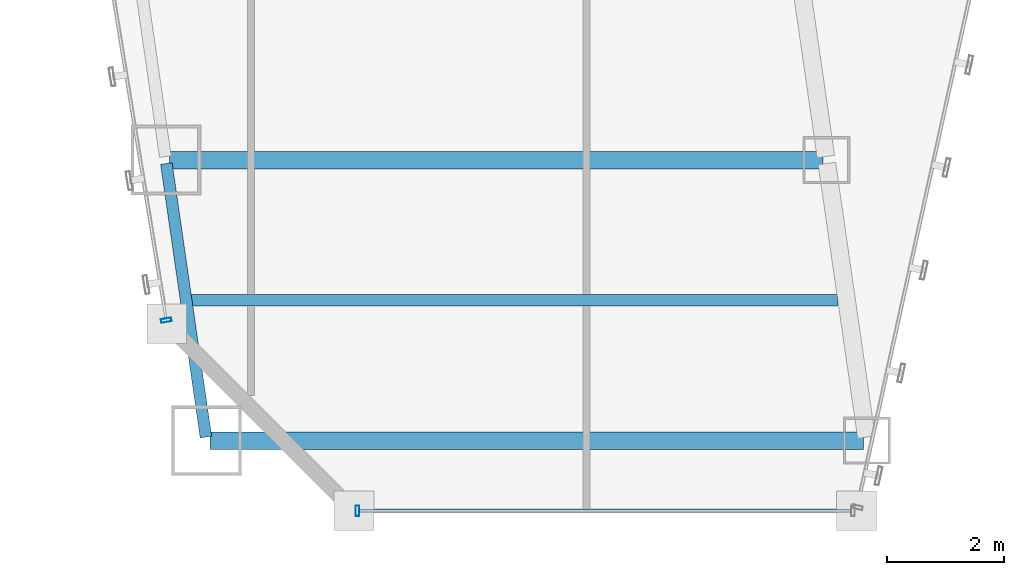
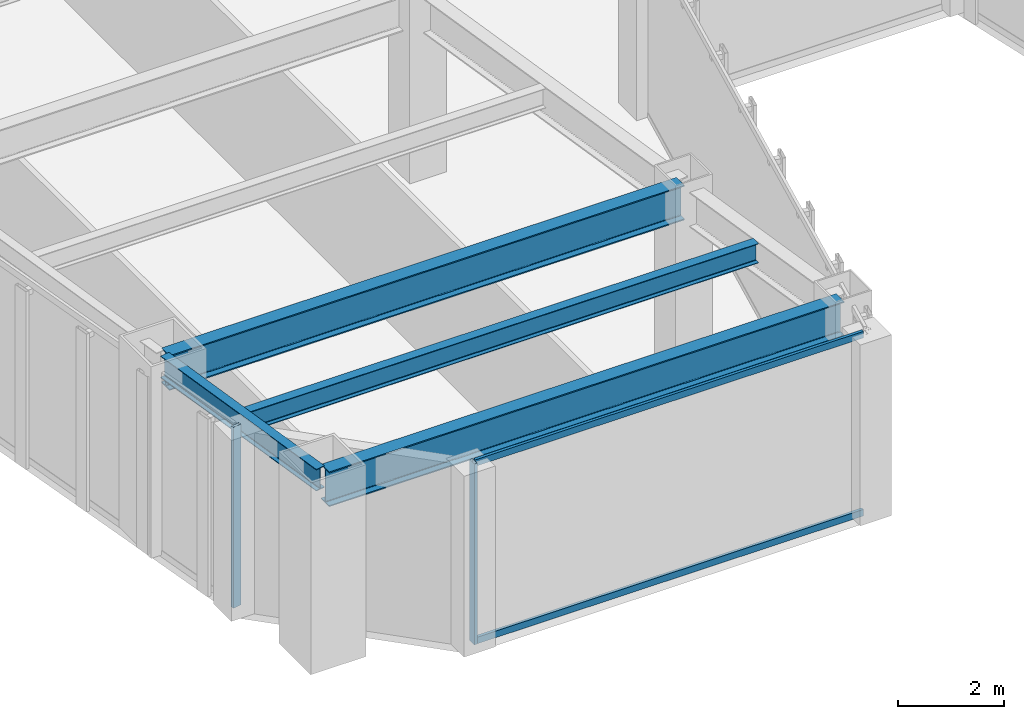
# One storey, part 4 of 47: 4 beams, 4 members, 2 elements without a shape of their own.
"""IFC4 building model written with IfcOpenShell, lengths in metres."""

import ifcopenshell
import ifcopenshell.guid

model = None  # the IFC model being written
_history = None  # IfcOwnerHistory: only IFC2X3 demands one
_inside = {}  # id of a spatial element -> (the spatial element, [elements in it])
_under = {}  # id of a project, library or spatial element -> (it, [spatial elements below it])
_declared = {}  # id of a project -> (the project, [libraries it declares])
_typed = {}  # id of a type object -> (the type object, [elements of that type])
_made_of = {}  # id of a material, layer set ... -> (it, [elements and type objects made of it])


def new_model(schema):
    """Start an empty IFC model of exactly this schema.

    Asked for "IFC4X3", IfcOpenShell would pick the latest addendum, in which some entities
    have other attributes; the version numbers below select the first issue.
    IFC2X3 requires an IfcOwnerHistory on every rooted entity: one is made here for all.
    """
    global model, _history
    if schema == "IFC4X3":
        model = ifcopenshell.file(schema_version=(4, 3, 0, 0))
    else:
        model = ifcopenshell.file(schema=schema)
    _inside.clear()
    _under.clear()
    _declared.clear()
    _typed.clear()
    _made_of.clear()
    _history = None
    if model.schema == "IFC2X3":
        org = make("IfcOrganization", Name="unknown")
        user = make(
            "IfcPersonAndOrganization",
            ThePerson=make("IfcPerson", FamilyName="unknown"),
            TheOrganization=org,
        )
        app = make(
            "IfcApplication",
            ApplicationDeveloper=org,
            Version="unknown",
            ApplicationFullName="unknown",
            ApplicationIdentifier="unknown",
        )
        _history = make(
            "IfcOwnerHistory",
            OwningUser=user,
            OwningApplication=app,
            ChangeAction="ADDED",
            CreationDate=0,
        )
    return model


def make(cls, **values):
    """One entity of the class cls with the attributes given. An attribute that is None is left unset."""
    return model.create_entity(
        cls, **{name: value for name, value in values.items() if value is not None}
    )


def rooted(cls, **values):
    """An entity with a GlobalId (a new one), such as an element, a storey or a relation."""
    return make(cls, GlobalId=ifcopenshell.guid.new(), OwnerHistory=_history, **values)


def si_unit(unit_type, name, prefix=None):
    """IfcSIUnit, for example si_unit("LENGTHUNIT", "METRE", prefix="MILLI")."""
    return make("IfcSIUnit", UnitType=unit_type, Prefix=prefix, Name=name)


def assignment(units):
    """IfcUnitAssignment: the units of a project."""
    return None if units is None else make("IfcUnitAssignment", Units=units)


def point(xyz):
    """IfcCartesianPoint."""
    return None if xyz is None else make("IfcCartesianPoint", Coordinates=xyz)


def direction(xyz):
    """IfcDirection."""
    return None if xyz is None else make("IfcDirection", DirectionRatios=xyz)


def frame(location, z_axis=None, x_axis=None):
    """IfcAxis2Placement3D, a coordinate frame: its origin and axes. An axis left out is left unset."""
    return make(
        "IfcAxis2Placement3D",
        Location=point(location),
        Axis=direction(z_axis),
        RefDirection=direction(x_axis),
    )


def frame_2d(location, x_axis=None):
    """IfcAxis2Placement2D, a coordinate frame in the plane: its origin and x axis."""
    return make(
        "IfcAxis2Placement2D", Location=point(location), RefDirection=direction(x_axis)
    )


def origin():
    """The frame at (0, 0, 0) with its axes left unset."""
    return frame((0.0, 0.0, 0.0))


def origin_2d():
    """The frame at (0, 0) in the plane with its x axis left unset."""
    return frame_2d((0.0, 0.0))


def place(relative_to, where):
    """IfcLocalPlacement: puts the frame where relative to a parent placement (None: the world)."""
    return make(
        "IfcLocalPlacement", PlacementRelTo=relative_to, RelativePlacement=where
    )


def context(
    kind, dimensions, precision=None, world=None, true_north=None, identifier=None
):
    """IfcGeometricRepresentationContext, for example the 3D "Model" context."""
    return make(
        "IfcGeometricRepresentationContext",
        ContextIdentifier=identifier,
        ContextType=kind,
        CoordinateSpaceDimension=dimensions,
        Precision=precision,
        WorldCoordinateSystem=world,
        TrueNorth=true_north,
    )


def subcontext(parent, identifier, kind, view, scale=None):
    """IfcGeometricRepresentationSubContext, for example "Body" below "Model"."""
    return make(
        "IfcGeometricRepresentationSubContext",
        ContextIdentifier=identifier,
        ContextType=kind,
        ParentContext=parent,
        TargetScale=scale,
        TargetView=view,
    )


def project(units=None, contexts=None):
    """IfcProject with its units and contexts."""
    return rooted(
        "IfcProject",
        Name="project",
        RepresentationContexts=contexts,
        UnitsInContext=assignment(units),
    )


def spatial(cls, under=None, at=None, **own):
    """A site, building, storey or space (cls), placed at a placement, below another one or the project."""
    s = rooted(cls, ObjectPlacement=at, **own)
    if under is not None:
        _under.setdefault(under.id(), (under, []))[1].append(s)
    return s


def profile(cls, at=None, kind="AREA", **sizes):
    """A parametric profile (cls). Its sizes go by their IFC names, for example OverallWidth=200.0."""
    return make(cls, ProfileType=kind, Position=at, **sizes)


def hollow_rectangle(**sizes):
    """IfcRectangleHollowProfileDef."""
    return profile("IfcRectangleHollowProfileDef", **sizes)


def i_section(**sizes):
    """IfcIShapeProfileDef."""
    return profile("IfcIShapeProfileDef", **sizes)


def extrude(swept, where, along, depth):
    """IfcExtrudedAreaSolid: the profile swept, set in the frame where, extruded along a direction by depth."""
    return make(
        "IfcExtrudedAreaSolid",
        SweptArea=swept,
        Position=where,
        ExtrudedDirection=direction(along),
        Depth=depth,
    )


def shape(context_of_items, identifier, shape_type, items):
    """IfcShapeRepresentation: the items that make up one representation, for example the "Body"."""
    return make(
        "IfcShapeRepresentation",
        ContextOfItems=context_of_items,
        RepresentationIdentifier=identifier,
        RepresentationType=shape_type,
        Items=items,
    )


def material(Name=None, Category=None):
    """IfcMaterial."""
    return make("IfcMaterial", Name=Name, Category=Category)


def material_profile(
    of_material, cross_section, Name=None, Category=None, Priority=None
):
    """IfcMaterialProfile: a cross section and its material."""
    return make(
        "IfcMaterialProfile",
        Name=Name,
        Material=of_material,
        Profile=cross_section,
        Priority=Priority,
        Category=Category,
    )


def profile_set(profiles, Name=None, composite=None):
    """IfcMaterialProfileSet."""
    return make(
        "IfcMaterialProfileSet",
        Name=Name,
        MaterialProfiles=profiles,
        CompositeProfile=composite,
    )


def made_of(thing, what):
    """Note that an element or type object is made of a material, layer set ...; save() writes the relation."""
    if what is not None:
        _made_of.setdefault(what.id(), (what, []))[1].append(thing)
    return thing


def type_object(cls, material=None, **own):
    """A type object (cls), such as IfcWallType, which elements share."""
    return made_of(rooted(cls, **own), material)


def element(
    cls,
    number,
    at=None,
    inside=None,
    cuts=None,
    type_object=None,
    material=None,
    context=None,
    identifier="Body",
    shape_type=None,
    held_by="IfcProductDefinitionShape",
    body=None,
    shapes=None,
    **own,
):
    """One element of the class cls, such as IfcWall. Its Tag is "e" and its number.

    at: its placement. inside: the storey or other place that contains it. cuts: it is an
    opening in that element (IfcRelVoidsElement). A single representation is given by context,
    identifier, shape_type and body (its items); several are given by shapes. held_by: the class
    of the entity that holds the representations. save() writes the other relations.
    """
    e = rooted(cls, Tag="e%d" % number, ObjectPlacement=at, **own)
    if body is not None:
        shapes = [shape(context, identifier, shape_type, body)]
    if shapes is not None:
        e.Representation = make(held_by, Representations=shapes)
    if inside is not None:
        _inside.setdefault(inside.id(), (inside, []))[1].append(e)
    if cuts is not None:
        rooted(
            "IfcRelVoidsElement", RelatingBuildingElement=cuts, RelatedOpeningElement=e
        )
    if type_object is not None:
        _typed.setdefault(type_object.id(), (type_object, []))[1].append(e)
    return made_of(e, material)


def aggregate(whole, parts):
    """IfcRelAggregates: a whole, such as a stair, and the parts it consists of."""
    return rooted("IfcRelAggregates", RelatingObject=whole, RelatedObjects=parts)


def save(model, path):
    """Write the relations noted so far, then the file.

    IfcRelAggregates (storeys below a building ...), IfcRelContainedInSpatialStructure (elements
    in a storey), IfcRelDefinesByType, IfcRelAssociatesMaterial and IfcRelDeclares: one each for
    every whole, place, type object, material and project.
    """
    for whole, parts in _under.values():
        aggregate(whole, parts)
    for where, things in _inside.values():
        rooted(
            "IfcRelContainedInSpatialStructure",
            RelatedElements=things,
            RelatingStructure=where,
        )
    for kind, things in _typed.values():
        rooted("IfcRelDefinesByType", RelatedObjects=things, RelatingType=kind)
    for what, things in _made_of.values():
        rooted("IfcRelAssociatesMaterial", RelatedObjects=things, RelatingMaterial=what)
    for by, libraries in _declared.values():
        rooted("IfcRelDeclares", RelatingContext=by, RelatedDefinitions=libraries)
    model.write(path)


model = new_model("IFC4")

# Units and contexts
model_context = context("Model", 3, precision=1e-05, world=origin(), true_north=direction((0.0, 1.0)))
body_context = subcontext(model_context, "Body", "Model", "MODEL_VIEW")
ifc_project = project(units=[si_unit("LENGTHUNIT", "METRE"), si_unit("AREAUNIT", "SQUARE_METRE"), si_unit("VOLUMEUNIT", "CUBIC_METRE"), si_unit("PLANEANGLEUNIT", "RADIAN"), si_unit("MASSUNIT", "GRAM", prefix="KILO")], contexts=[model_context])

# Site, building, storey
site_placement = place(None, origin())
site = spatial("IfcSite", under=ifc_project, at=site_placement, CompositionType="ELEMENT")
building_placement = place(site_placement, origin())
building = spatial("IfcBuilding", under=site, at=building_placement, Name="Saevonmaru Cultural Tower", CompositionType="ELEMENT")
storey_placement = place(building_placement, frame((0.0, 0.0, 69.199951171875)))
storey = spatial("IfcBuildingStorey", under=building, at=storey_placement, Name="L14", CompositionType="ELEMENT", Elevation=69.199951171875)

# Beams
ifc_material_1 = material(Name="Steel SM420", Category="steel")
ifc_material_profile_1 = material_profile(ifc_material_1, i_section(OverallWidth=0.300048828125, OverallDepth=0.800048828125, WebThickness=0.013916015625, FlangeThickness=0.02587890625, FilletRadius=0.028076171875, at=origin_2d()), Name="H-800x300x14x26")
ifc_profile_set_1 = profile_set([ifc_material_profile_1], Name="Steel SM420")
beam_type_1 = type_object("IfcBeamType", Name="BM-G-H800", PredefinedType="BEAM", material=ifc_profile_set_1)
for number, where, z_axis, x_axis, name in (
    (1, (12.537109375, 3.199951171875, 3.75), (1.0, 0.0, 0.0), (0.0, 1.0, 0.0), "L14 West Wing Transverse Girder 1"),
    (2, (11.843017578125, 8.0, 3.75), (1.0, 0.0, 0.0), (0.0, 1.0, 0.0), "L14 West Wing Transverse Girder 2"),
):
    element("IfcBeam", number, at=place(storey_placement, frame(where, z_axis=z_axis, x_axis=x_axis)), inside=storey, type_object=beam_type_1, Name=name, PredefinedType="BEAM", context=body_context, shape_type="SweptSolid", body=[
        extrude(i_section(OverallWidth=0.300048828125, OverallDepth=0.800048828125, WebThickness=0.013916015625, FlangeThickness=0.02587890625, FilletRadius=0.028076171875, at=origin_2d()), origin(), (0.0, 0.0, 1.0), 11.179931640625),
    ])
ifc_material_2 = material(Name="Steel SM355", Category="steel")
ifc_material_profile_2 = material_profile(ifc_material_2, i_section(OverallWidth=0.199951171875, OverallDepth=0.449951171875, WebThickness=0.009033203125, FlangeThickness=0.013916015625, FilletRadius=0.01806640625, at=origin_2d()), Name="H-450x200x9x14")
ifc_profile_set_2 = profile_set([ifc_material_profile_2], Name="Steel SM355")
beam_type_2 = type_object("IfcBeamType", Name="BM-J-H450", PredefinedType="JOIST", material=ifc_profile_set_2)
beam_1_placement = place(storey_placement, frame((12.18994140625, 5.60009765625, 3.925048828125), z_axis=(1.0, 0.0, 0.0), x_axis=(0.0, 1.0, 0.0)))
element("IfcBeam", 3, at=beam_1_placement, inside=storey, type_object=beam_type_2, Name="L14 West Wing Floor Joist 1", PredefinedType="JOIST", context=body_context, shape_type="SweptSolid", body=[
    extrude(i_section(OverallWidth=0.199951171875, OverallDepth=0.449951171875, WebThickness=0.009033203125, FlangeThickness=0.013916015625, FilletRadius=0.01806640625, at=origin_2d()), origin(), (0.0, 0.0, 1.0), 11.08203125),
])
ifc_material_profile_3 = material_profile(ifc_material_2, i_section(OverallWidth=0.199951171875, OverallDepth=0.5, WebThickness=0.010009765625, FlangeThickness=0.01611328125, FilletRadius=0.02001953125, at=origin_2d()), Name="H-500x200x10x16")
ifc_profile_set_3 = profile_set([ifc_material_profile_3], Name="Steel SM355")
beam_type_3 = type_object("IfcBeamType", Name="BM-SP-H500", PredefinedType="SPANDREL", material=ifc_profile_set_3)
beam_2_placement = place(storey_placement, frame((12.468505859375, 3.259521484375, 3.900146484375), z_axis=(-0.14313379491, 0.989703347855, 0.0), x_axis=(-0.989703347855, -0.14313379491, 0.0)))
element("IfcBeam", 4, at=beam_2_placement, inside=storey, type_object=beam_type_3, Name="L14 West Splayed Spandrel 1", PredefinedType="SPANDREL", context=body_context, shape_type="SweptSolid", body=[
    extrude(i_section(OverallWidth=0.199951171875, OverallDepth=0.5, WebThickness=0.010009765625, FlangeThickness=0.01611328125, FilletRadius=0.02001953125, at=origin_2d()), origin(), (0.0, 0.0, 1.0), 4.729736328125),
])

# Curtain wall, member
ifc_material_3 = material(Name="Satin Bronze Anodised Aluminium", Category="aluminium")
curtain_wall_type = type_object("IfcCurtainWallType", Name="CW-TYP-A", PredefinedType="NOTDEFINED", material=ifc_material_3)
curtain_wall_1_placement = place(storey_placement, origin())
curtain_wall_1 = element("IfcCurtainWall", 5, at=curtain_wall_1_placement, inside=storey, type_object=curtain_wall_type, Name="L14 Unitised Curtain Wall E2", PredefinedType="NOTDEFINED")
ifc_material_profile_4 = material_profile(ifc_material_3, hollow_rectangle(XDim=0.06494140625, YDim=0.179931640625, WallThickness=0.00390625, at=origin_2d()), Name="ALU-MULL-180x65x4")
ifc_profile_set_4 = profile_set([ifc_material_profile_4], Name="Satin Bronze Anodised Aluminium")
member_type_1 = type_object("IfcMemberType", Name="ML-CW-180x65", PredefinedType="MULLION", material=ifc_profile_set_4)
member_1_placement = place(storey_placement, frame((15.06005859375, 2.0, 0.0), z_axis=(0.0, 0.0, 1.0), x_axis=(1.0, 0.0, 0.0)))
member_1 = element("IfcMember", 6, at=member_1_placement, type_object=member_type_1, Name="CW-TW-L14-E2 mullion 1", PredefinedType="MULLION", context=body_context, shape_type="SweptSolid", body=[
    extrude(hollow_rectangle(XDim=0.06494140625, YDim=0.179931640625, WallThickness=0.00390625, at=origin_2d()), origin(), (0.0, 0.0, 1.0), 4.150146484375),
])

curtain_wall_2_placement = place(storey_placement, origin())
curtain_wall_2 = element("IfcCurtainWall", 7, at=curtain_wall_2_placement, inside=storey, type_object=curtain_wall_type, Name="L14 Unitised Curtain Wall E12", PredefinedType="NOTDEFINED")
member_2_placement = place(storey_placement, frame((11.790283203125, 5.25927734375, 0.0), z_axis=(0.0, 0.0, 1.0), x_axis=(0.161708868641, -0.986838508472, 0.0)))
member_2 = element("IfcMember", 8, at=member_2_placement, type_object=member_type_1, Name="CW-TW-L14-E12 mullion 5", PredefinedType="MULLION", context=body_context, shape_type="SweptSolid", body=[
    extrude(hollow_rectangle(XDim=0.06494140625, YDim=0.179931640625, WallThickness=0.00390625, at=origin_2d()), origin(), (0.0, 0.0, 1.0), 4.150146484375),
])
aggregate(curtain_wall_2, [member_2])

# Member
ifc_material_profile_5 = material_profile(ifc_material_3, hollow_rectangle(XDim=0.06494140625, YDim=0.14990234375, WallThickness=0.00390625, at=origin_2d()), Name="ALU-TRAN-150x65x4")
ifc_profile_set_5 = profile_set([ifc_material_profile_5], Name="Satin Bronze Anodised Aluminium")
member_type_2 = type_object("IfcMemberType", Name="TR-CW-150x65", PredefinedType="USERDEFINED", material=ifc_profile_set_5)
member_3_placement = place(storey_placement, frame((15.092529296875, 2.0, 0.032470703125), z_axis=(1.0, 0.0, 0.0), x_axis=(0.0, 1.0, 0.0)))
member_3 = element("IfcMember", 9, at=member_3_placement, type_object=member_type_2, Name="CW-TW-L14-E2 transom 1.1", ObjectType="TRANSOM", PredefinedType="USERDEFINED", context=body_context, shape_type="SweptSolid", body=[
    extrude(hollow_rectangle(XDim=0.06494140625, YDim=0.14990234375, WallThickness=0.00390625, at=origin_2d()), origin(), (0.0, 0.0, 1.0), 8.4150390625),
])

member_4_placement = place(storey_placement, frame((15.092529296875, 2.0, 4.117431640625), z_axis=(1.0, 0.0, 0.0), x_axis=(0.0, 1.0, 0.0)))
member_4 = element("IfcMember", 10, at=member_4_placement, type_object=member_type_2, Name="CW-TW-L14-E2 transom 1.2", ObjectType="TRANSOM", PredefinedType="USERDEFINED", context=body_context, shape_type="SweptSolid", body=[
    extrude(hollow_rectangle(XDim=0.06494140625, YDim=0.14990234375, WallThickness=0.00390625, at=origin_2d()), origin(), (0.0, 0.0, 1.0), 8.4150390625),
])

aggregate(curtain_wall_1, [member_1, member_3, member_4])

save(model, "model.ifc")
